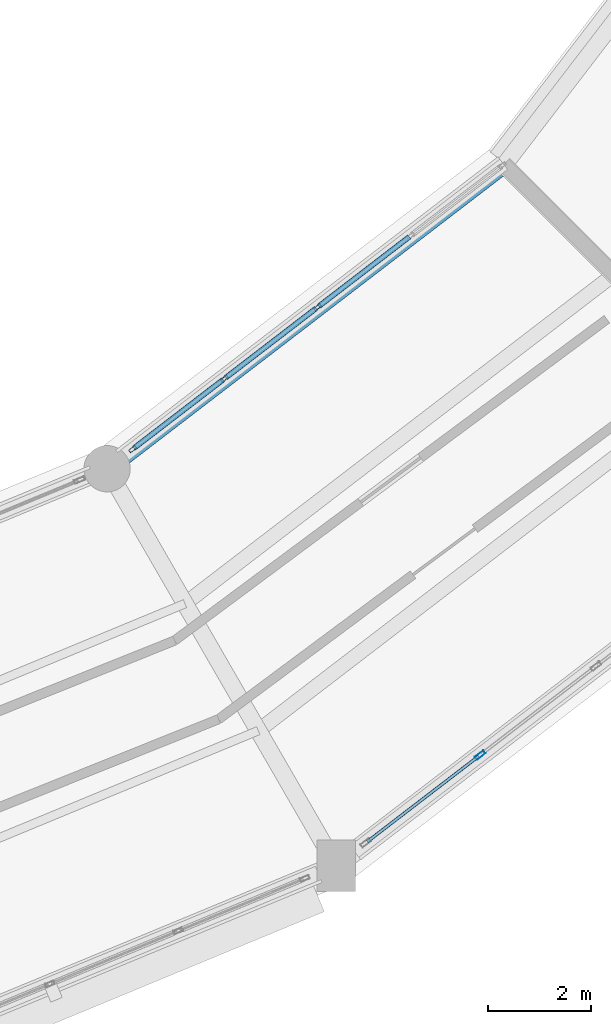
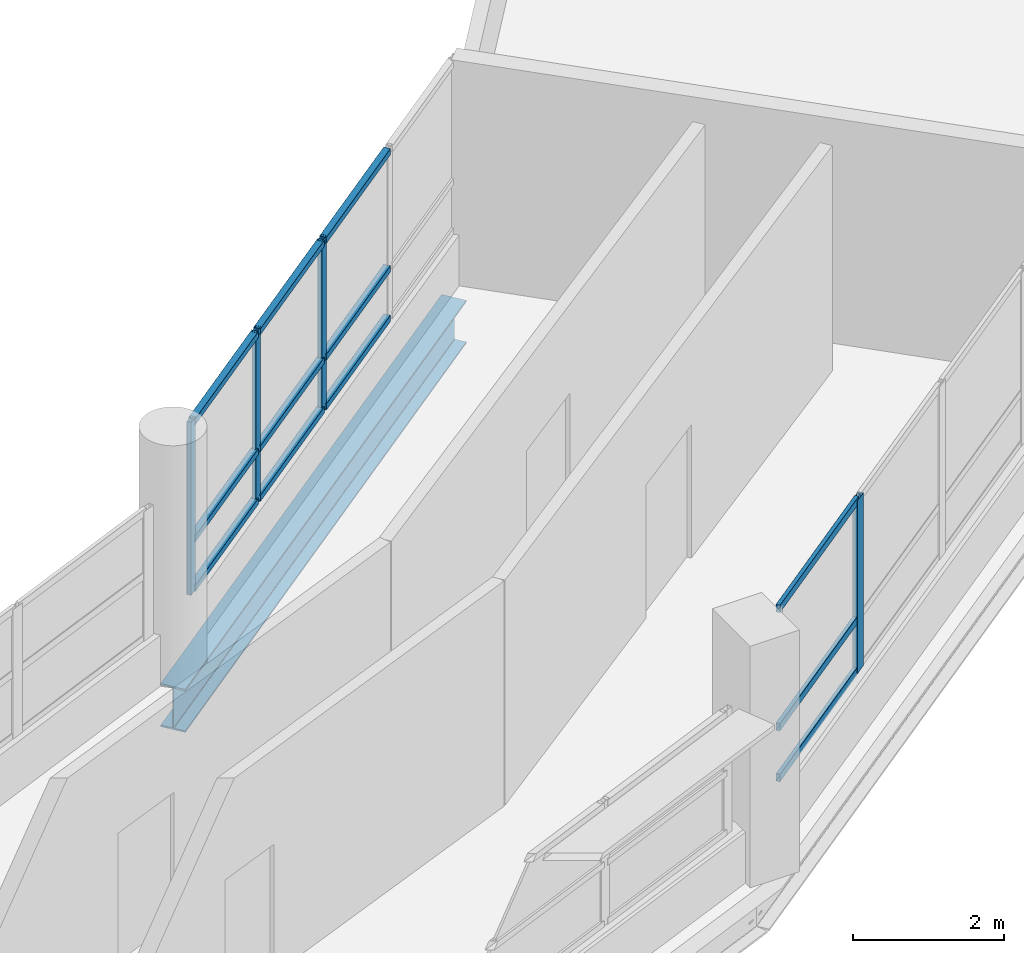
# One storey, part 27 of 88: 16 members, 1 beam, 2 elements without a shape of their own.
"""IFC4 building model written with IfcOpenShell, lengths in metres."""

from ifc_helpers import new_model, si_unit, direction, frame, origin, origin_2d, place, context, subcontext, project, spatial, hollow_rectangle, i_section, extrude, material, layer, layer_set, material_profile, profile_set, type_object, element, aggregate, save


model = new_model("IFC4")

# Units and contexts
model_context = context("Model", 3, precision=1e-05, world=origin(), true_north=direction((0.0, 1.0)))
body_context = subcontext(model_context, "Body", "Model", "MODEL_VIEW")
ifc_project = project(units=[si_unit("LENGTHUNIT", "METRE"), si_unit("AREAUNIT", "SQUARE_METRE"), si_unit("VOLUMEUNIT", "CUBIC_METRE"), si_unit("PLANEANGLEUNIT", "RADIAN"), si_unit("MASSUNIT", "GRAM", prefix="KILO")], contexts=[model_context])

# Site, building, storey
site_placement = place(None, origin())
site = spatial("IfcSite", under=ifc_project, at=site_placement, CompositionType="ELEMENT")
building_placement = place(site_placement, origin())
building = spatial("IfcBuilding", under=site, at=building_placement, Name="Vespera Passage Community Centre", CompositionType="ELEMENT")
storey_placement = place(building_placement, frame((0.0, 0.0, 16.5)))
storey = spatial("IfcBuildingStorey", under=building, at=storey_placement, Name="L04", CompositionType="ELEMENT", Elevation=16.5)

# Beam
ifc_material_1 = material(Name="Steel ASTM A992 Grade 50", Category="steel")
ifc_material_profile_1 = material_profile(ifc_material_1, i_section(OverallWidth=0.3544921875, OverallDepth=0.695556640625, WebThickness=0.015380859375, FlangeThickness=0.024658203125, FilletRadius=0.01513671875, at=origin_2d()), Name="W27X146")
ifc_profile_set_1 = profile_set([ifc_material_profile_1], Name="Steel ASTM A992 Grade 50")
beam_type = type_object("IfcBeamType", Name="BM-SP-W27X146E", PredefinedType="SPANDREL", material=ifc_profile_set_1)
beam_placement = place(storey_placement, frame((96.60009765625, 33.283935546875, -0.647705078125), z_axis=(0.793359869694, 0.60875291963, 0.0), x_axis=(-0.60875291963, 0.793359869694, 0.0)))
element("IfcBeam", 1, at=beam_placement, inside=storey, type_object=beam_type, Name="V4 L04 Inner Spandrel 20", PredefinedType="SPANDREL", context=body_context, shape_type="SweptSolid", body=[
    extrude(i_section(OverallWidth=0.3544921875, OverallDepth=0.695556640625, WebThickness=0.015380859375, FlangeThickness=0.024658203125, FilletRadius=0.01513671875, at=origin_2d()), origin(), (0.0, 0.0, 1.0), 9.7109375),
])

# Curtain wall, members
ifc_material_2 = material(Name="Anodized aluminium 6063-T6", Category="aluminium")
ifc_layer_1 = layer(ifc_material_2, 0.159912109375)
ifc_layer_set_1 = layer_set([ifc_layer_1], Name="Anodized aluminium 6063-T6")
curtain_wall_type_1 = type_object("IfcCurtainWallType", Name="CW-68E", PredefinedType="NOTDEFINED", material=ifc_layer_set_1)
curtain_wall_1_placement = place(storey_placement, origin())
curtain_wall_1 = element("IfcCurtainWall", 2, at=curtain_wall_1_placement, inside=storey, type_object=curtain_wall_type_1, Name="V4 L04 Inner Court Curtain Wall 20", PredefinedType="NOTDEFINED")
ifc_material_3 = material(Name="Anodized aluminium 6063-T6", Category="aluminium")
ifc_material_profile_2 = material_profile(ifc_material_3, hollow_rectangle(XDim=0.06494140625, YDim=0.14990234375, WallThickness=0.00390625, InnerFilletRadius=0.001953125, OuterFilletRadius=0.00390625, at=origin_2d()), Name="ALU150X65X4")
ifc_profile_set_2 = profile_set([ifc_material_profile_2], Name="Anodized aluminium 6063-T6")
member_type_1 = type_object("IfcMemberType", Name="MB-CWM-150E", PredefinedType="MULLION", material=ifc_profile_set_2)
member_1_placement = place(storey_placement, frame((97.096435546875, 33.664794921875, 0.820068359375), z_axis=(0.0, 0.0, 1.0), x_axis=(-0.608755218694, 0.793358105594, 0.0)))
member_1 = element("IfcMember", 3, at=member_1_placement, type_object=member_type_1, Name="CW-68E mullion 1", PredefinedType="MULLION", context=body_context, shape_type="SweptSolid", body=[
    extrude(hollow_rectangle(XDim=0.06494140625, YDim=0.14990234375, WallThickness=0.00390625, InnerFilletRadius=0.001953125, OuterFilletRadius=0.00390625, at=origin_2d()), origin(), (0.0, 0.0, 1.0), 2.7900390625),
])
member_2_placement = place(storey_placement, frame((98.879150390625, 35.03271484375, 0.820068359375), z_axis=(0.0, 0.0, 1.0), x_axis=(-0.608755218694, 0.793358105594, 0.0)))
member_2 = element("IfcMember", 4, at=member_2_placement, type_object=member_type_1, Name="CW-68E mullion 2", PredefinedType="MULLION", context=body_context, shape_type="SweptSolid", body=[
    extrude(hollow_rectangle(XDim=0.06494140625, YDim=0.14990234375, WallThickness=0.00390625, InnerFilletRadius=0.001953125, OuterFilletRadius=0.00390625, at=origin_2d()), origin(), (0.0, 0.0, 1.0), 2.7900390625),
])
member_3_placement = place(storey_placement, frame((100.6875, 36.42041015625, 0.820068359375), z_axis=(0.0, 0.0, 1.0), x_axis=(-0.608755218694, 0.793358105594, 0.0)))
member_3 = element("IfcMember", 5, at=member_3_placement, type_object=member_type_1, Name="CW-68E mullion 3", PredefinedType="MULLION", context=body_context, shape_type="SweptSolid", body=[
    extrude(hollow_rectangle(XDim=0.06494140625, YDim=0.14990234375, WallThickness=0.00390625, InnerFilletRadius=0.001953125, OuterFilletRadius=0.00390625, at=origin_2d()), origin(), (0.0, 0.0, 1.0), 2.7900390625),
])

# Curtain wall, member
ifc_material_4 = material(Name="Anodized aluminium 6063-T6", Category="aluminium")
ifc_layer_2 = layer(ifc_material_4, 0.159912109375)
ifc_layer_set_2 = layer_set([ifc_layer_2], Name="Anodized aluminium 6063-T6")
curtain_wall_type_2 = type_object("IfcCurtainWallType", Name="CW-67E", PredefinedType="NOTDEFINED", material=ifc_layer_set_2)
curtain_wall_2_placement = place(storey_placement, origin())
curtain_wall_2 = element("IfcCurtainWall", 6, at=curtain_wall_2_placement, inside=storey, type_object=curtain_wall_type_2, Name="V4 L04 Outer Ribbon Curtain Wall 20", PredefinedType="NOTDEFINED")
ifc_material_5 = material(Name="Anodized aluminium 6063-T6", Category="aluminium")
ifc_material_profile_3 = material_profile(ifc_material_5, hollow_rectangle(XDim=0.074951171875, YDim=0.2099609375, WallThickness=0.0048828125, InnerFilletRadius=0.00244140625, OuterFilletRadius=0.0048828125, at=origin_2d()), Name="ALU210X75X5")
ifc_profile_set_3 = profile_set([ifc_material_profile_3], Name="Anodized aluminium 6063-T6")
member_type_2 = type_object("IfcMemberType", Name="MB-CWM-210E", PredefinedType="MULLION", material=ifc_profile_set_3)
member_4_placement = place(storey_placement, frame((103.84619140625, 27.7216796875, 0.820068359375), z_axis=(0.0, 0.0, 1.0), x_axis=(0.608768221519, -0.793348128169, 0.0)))
member_4 = element("IfcMember", 7, at=member_4_placement, type_object=member_type_2, Name="CW-67E mullion 4", PredefinedType="MULLION", context=body_context, shape_type="SweptSolid", body=[
    extrude(hollow_rectangle(XDim=0.074951171875, YDim=0.2099609375, WallThickness=0.0048828125, InnerFilletRadius=0.00244140625, OuterFilletRadius=0.0048828125, at=origin_2d()), origin(), (0.0, 0.0, 1.0), 2.7900390625),
])

# Member
ifc_material_6 = material(Name="Anodized aluminium 6063-T6", Category="aluminium")
ifc_material_profile_4 = material_profile(ifc_material_6, hollow_rectangle(XDim=0.10009765625, YDim=0.10009765625, WallThickness=0.00390625, InnerFilletRadius=0.001953125, OuterFilletRadius=0.00390625, at=origin_2d()), Name="ALU100X100X4")
ifc_profile_set_4 = profile_set([ifc_material_profile_4], Name="Anodized aluminium 6063-T6")
member_type_3 = type_object("IfcMemberType", Name="MB-CWT-100E", PredefinedType="USERDEFINED", material=ifc_profile_set_4)
member_5_placement = place(storey_placement, frame((97.1220703125, 33.6845703125, 0.8701171875), z_axis=(0.79335959059, 0.608753283374, 0.0), x_axis=(-0.608753283374, 0.79335959059, 0.0)))
member_5 = element("IfcMember", 8, at=member_5_placement, type_object=member_type_3, Name="CW-68E transom 1.1", ObjectType="TRANSOM", PredefinedType="USERDEFINED", context=body_context, shape_type="SweptSolid", body=[
    extrude(hollow_rectangle(XDim=0.10009765625, YDim=0.10009765625, WallThickness=0.00390625, InnerFilletRadius=0.001953125, OuterFilletRadius=0.00390625, at=origin_2d()), origin(), (0.0, 0.0, 1.0), 2.18212890625),
])

member_6_placement = place(storey_placement, frame((97.1220703125, 33.6845703125, 1.669921875), z_axis=(0.79335959059, 0.608753283374, 0.0), x_axis=(-0.608753283374, 0.79335959059, 0.0)))
member_6 = element("IfcMember", 9, at=member_6_placement, type_object=member_type_3, Name="CW-68E transom 1.2", ObjectType="TRANSOM", PredefinedType="USERDEFINED", context=body_context, shape_type="SweptSolid", body=[
    extrude(hollow_rectangle(XDim=0.10009765625, YDim=0.10009765625, WallThickness=0.00390625, InnerFilletRadius=0.001953125, OuterFilletRadius=0.00390625, at=origin_2d()), origin(), (0.0, 0.0, 1.0), 2.18212890625),
])

member_7_placement = place(storey_placement, frame((97.1220703125, 33.6845703125, 3.56005859375), z_axis=(0.79335959059, 0.608753283374, 0.0), x_axis=(-0.608753283374, 0.79335959059, 0.0)))
member_7 = element("IfcMember", 10, at=member_7_placement, type_object=member_type_3, Name="CW-68E transom 1.3", ObjectType="TRANSOM", PredefinedType="USERDEFINED", context=body_context, shape_type="SweptSolid", body=[
    extrude(hollow_rectangle(XDim=0.10009765625, YDim=0.10009765625, WallThickness=0.00390625, InnerFilletRadius=0.001953125, OuterFilletRadius=0.00390625, at=origin_2d()), origin(), (0.0, 0.0, 1.0), 2.18212890625),
])

member_8_placement = place(storey_placement, frame((98.90478515625, 35.052490234375, 0.8701171875), z_axis=(0.793336568059, 0.608783286384, 0.0), x_axis=(-0.608783286384, 0.793336568059, 0.0)))
member_8 = element("IfcMember", 11, at=member_8_placement, type_object=member_type_3, Name="CW-68E transom 2.1", ObjectType="TRANSOM", PredefinedType="USERDEFINED", context=body_context, shape_type="SweptSolid", body=[
    extrude(hollow_rectangle(XDim=0.10009765625, YDim=0.10009765625, WallThickness=0.00390625, InnerFilletRadius=0.001953125, OuterFilletRadius=0.00390625, at=origin_2d()), origin(), (0.0, 0.0, 1.0), 2.214599609375),
])

member_9_placement = place(storey_placement, frame((98.90478515625, 35.052490234375, 1.669921875), z_axis=(0.793336568059, 0.608783286384, 0.0), x_axis=(-0.608783286384, 0.793336568059, 0.0)))
member_9 = element("IfcMember", 12, at=member_9_placement, type_object=member_type_3, Name="CW-68E transom 2.2", ObjectType="TRANSOM", PredefinedType="USERDEFINED", context=body_context, shape_type="SweptSolid", body=[
    extrude(hollow_rectangle(XDim=0.10009765625, YDim=0.10009765625, WallThickness=0.00390625, InnerFilletRadius=0.001953125, OuterFilletRadius=0.00390625, at=origin_2d()), origin(), (0.0, 0.0, 1.0), 2.214599609375),
])

member_10_placement = place(storey_placement, frame((98.90478515625, 35.052490234375, 3.56005859375), z_axis=(0.793336568059, 0.608783286384, 0.0), x_axis=(-0.608783286384, 0.793336568059, 0.0)))
member_10 = element("IfcMember", 13, at=member_10_placement, type_object=member_type_3, Name="CW-68E transom 2.3", ObjectType="TRANSOM", PredefinedType="USERDEFINED", context=body_context, shape_type="SweptSolid", body=[
    extrude(hollow_rectangle(XDim=0.10009765625, YDim=0.10009765625, WallThickness=0.00390625, InnerFilletRadius=0.001953125, OuterFilletRadius=0.00390625, at=origin_2d()), origin(), (0.0, 0.0, 1.0), 2.214599609375),
])

member_11_placement = place(storey_placement, frame((100.71337890625, 36.440185546875, 0.8701171875), z_axis=(0.793389814539, 0.608713891894, 0.0), x_axis=(-0.608713891894, 0.793389814539, 0.0)))
member_11 = element("IfcMember", 14, at=member_11_placement, type_object=member_type_3, Name="CW-68E transom 3.1", ObjectType="TRANSOM", PredefinedType="USERDEFINED", context=body_context, shape_type="SweptSolid", body=[
    extrude(hollow_rectangle(XDim=0.10009765625, YDim=0.10009765625, WallThickness=0.00390625, InnerFilletRadius=0.001953125, OuterFilletRadius=0.00390625, at=origin_2d()), origin(), (0.0, 0.0, 1.0), 2.21435546875),
])

member_12_placement = place(storey_placement, frame((100.71337890625, 36.440185546875, 1.669921875), z_axis=(0.793389814539, 0.608713891894, 0.0), x_axis=(-0.608713891894, 0.793389814539, 0.0)))
member_12 = element("IfcMember", 15, at=member_12_placement, type_object=member_type_3, Name="CW-68E transom 3.2", ObjectType="TRANSOM", PredefinedType="USERDEFINED", context=body_context, shape_type="SweptSolid", body=[
    extrude(hollow_rectangle(XDim=0.10009765625, YDim=0.10009765625, WallThickness=0.00390625, InnerFilletRadius=0.001953125, OuterFilletRadius=0.00390625, at=origin_2d()), origin(), (0.0, 0.0, 1.0), 2.21435546875),
])

member_13_placement = place(storey_placement, frame((100.71337890625, 36.440185546875, 3.56005859375), z_axis=(0.793389814539, 0.608713891894, 0.0), x_axis=(-0.608713891894, 0.793389814539, 0.0)))
member_13 = element("IfcMember", 16, at=member_13_placement, type_object=member_type_3, Name="CW-68E transom 3.3", ObjectType="TRANSOM", PredefinedType="USERDEFINED", context=body_context, shape_type="SweptSolid", body=[
    extrude(hollow_rectangle(XDim=0.10009765625, YDim=0.10009765625, WallThickness=0.00390625, InnerFilletRadius=0.001953125, OuterFilletRadius=0.00390625, at=origin_2d()), origin(), (0.0, 0.0, 1.0), 2.21435546875),
])

aggregate(curtain_wall_1, [member_1, member_2, member_3, member_5, member_6, member_7, member_8, member_9, member_10, member_11, member_12, member_13])

ifc_material_7 = material(Name="Anodized aluminium 6063-T6", Category="aluminium")
ifc_material_profile_5 = material_profile(ifc_material_7, hollow_rectangle(XDim=0.06005859375, YDim=0.1201171875, WallThickness=0.00390625, InnerFilletRadius=0.001953125, OuterFilletRadius=0.00390625, at=origin_2d()), Name="ALU120X60X4")
ifc_profile_set_5 = profile_set([ifc_material_profile_5], Name="Anodized aluminium 6063-T6")
member_type_4 = type_object("IfcMemberType", Name="MB-CWT-120E", PredefinedType="USERDEFINED", material=ifc_profile_set_5)
member_14_placement = place(storey_placement, frame((103.81640625, 27.698974609375, 0.85009765625), z_axis=(-0.793359651626, -0.608753203829, 0.0), x_axis=(0.608753203829, -0.793359651626, 0.0)))
member_14 = element("IfcMember", 17, at=member_14_placement, type_object=member_type_4, Name="CW-67E transom 4.1", ObjectType="TRANSOM", PredefinedType="USERDEFINED", context=body_context, shape_type="SweptSolid", body=[
    extrude(hollow_rectangle(XDim=0.06005859375, YDim=0.1201171875, WallThickness=0.00390625, InnerFilletRadius=0.001953125, OuterFilletRadius=0.00390625, at=origin_2d()), origin(), (0.0, 0.0, 1.0), 2.724365234375),
])

member_15_placement = place(storey_placement, frame((103.81640625, 27.698974609375, 1.669921875), z_axis=(-0.793359651626, -0.608753203829, 0.0), x_axis=(0.608753203829, -0.793359651626, 0.0)))
member_15 = element("IfcMember", 18, at=member_15_placement, type_object=member_type_4, Name="CW-67E transom 4.2", ObjectType="TRANSOM", PredefinedType="USERDEFINED", context=body_context, shape_type="SweptSolid", body=[
    extrude(hollow_rectangle(XDim=0.06005859375, YDim=0.1201171875, WallThickness=0.00390625, InnerFilletRadius=0.001953125, OuterFilletRadius=0.00390625, at=origin_2d()), origin(), (0.0, 0.0, 1.0), 2.724365234375),
])

member_16_placement = place(storey_placement, frame((103.81640625, 27.698974609375, 3.580078125), z_axis=(-0.793359651626, -0.608753203829, 0.0), x_axis=(0.608753203829, -0.793359651626, 0.0)))
member_16 = element("IfcMember", 19, at=member_16_placement, type_object=member_type_4, Name="CW-67E transom 4.3", ObjectType="TRANSOM", PredefinedType="USERDEFINED", context=body_context, shape_type="SweptSolid", body=[
    extrude(hollow_rectangle(XDim=0.06005859375, YDim=0.1201171875, WallThickness=0.00390625, InnerFilletRadius=0.001953125, OuterFilletRadius=0.00390625, at=origin_2d()), origin(), (0.0, 0.0, 1.0), 2.724365234375),
])

aggregate(curtain_wall_2, [member_4, member_14, member_15, member_16])

save(model, "model.ifc")
